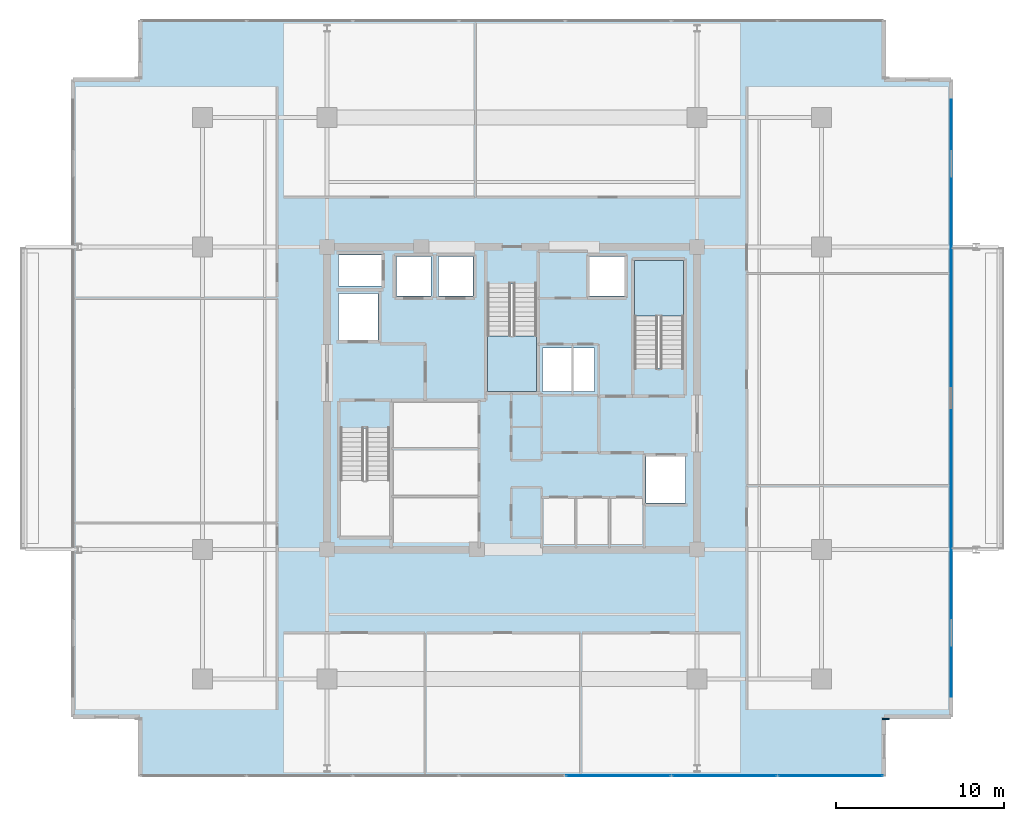
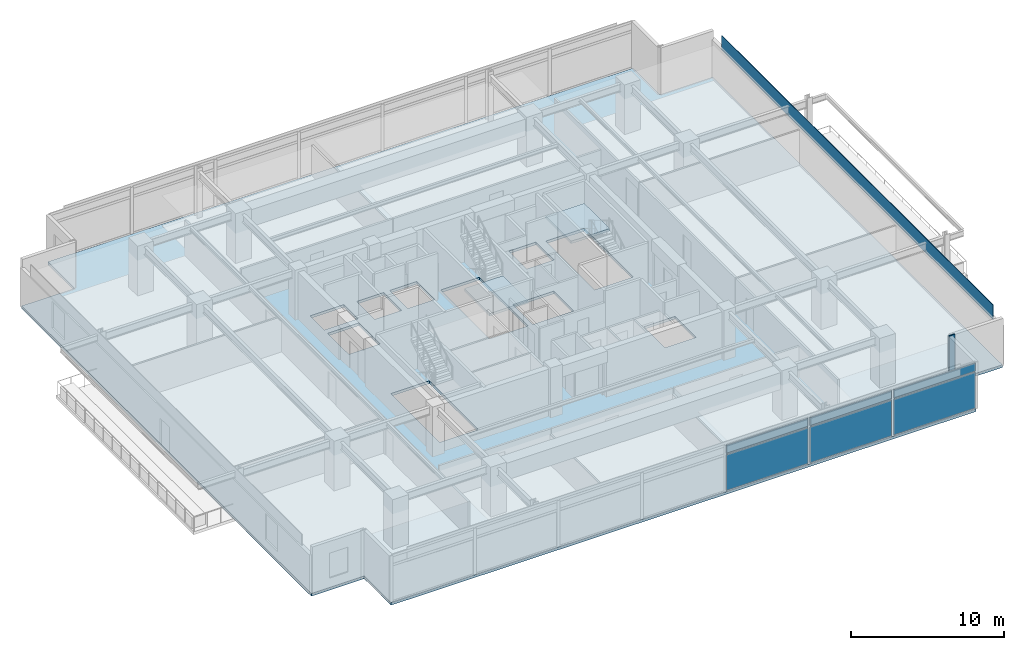
# One storey, part 15 of 24: 8 plates, 3 slabs, 3 elements without a shape of their own.
"""IFC4 building model written with IfcOpenShell, lengths in metres."""

from ifc_helpers import new_model, si_unit, direction, frame, origin, origin_2d, place, context, subcontext, project, spatial, polyline, rectangle, outline, extrude, material, layer, layer_set, type_object, element, aggregate, save


model = new_model("IFC4")

# Units and contexts
model_context = context("Model", 3, precision=1e-05, world=origin(), true_north=direction((0.0, 1.0)))
body_context = subcontext(model_context, "Body", "Model", "MODEL_VIEW")
ifc_project = project(units=[si_unit("LENGTHUNIT", "METRE"), si_unit("AREAUNIT", "SQUARE_METRE"), si_unit("VOLUMEUNIT", "CUBIC_METRE"), si_unit("PLANEANGLEUNIT", "RADIAN"), si_unit("MASSUNIT", "GRAM", prefix="KILO")], contexts=[model_context])

# Site, building, storey
site_placement = place(None, origin())
site = spatial("IfcSite", under=ifc_project, at=site_placement, CompositionType="ELEMENT")
building_placement = place(site_placement, origin())
building = spatial("IfcBuilding", under=site, at=building_placement, Name="Kovane Verandah Tower", CompositionType="ELEMENT")
storey_placement = place(building_placement, frame((0.0, 0.0, 271.199951171875)))
storey = spatial("IfcBuildingStorey", under=building, at=storey_placement, Name="L63", CompositionType="ELEMENT", Elevation=271.199951171875)

# Curtain wall, plates
ifc_material_1 = material(Name="Champagne Anodised Aluminium Frame with Low-E Clear Laminated Glass", Category="aluminium")
curtain_wall_type = type_object("IfcCurtainWallType", Name="CW-SYS-05-HIGH", PredefinedType="NOTDEFINED", material=ifc_material_1)
curtain_wall_placement = place(storey_placement, origin())
curtain_wall = element("IfcCurtainWall", 1, at=curtain_wall_placement, inside=storey, type_object=curtain_wall_type, Name="L63 S Unitised Curtain Wall", PredefinedType="NOTDEFINED")
ifc_material_2 = material(Name="Pale Champagne Anodised Aluminium Insulated Spandrel", Category="aluminium")
ifc_layer_1 = layer(ifc_material_2, 0.0400390625)
ifc_layer_set_1 = layer_set([ifc_layer_1], Name="Pale Champagne Anodised Aluminium Insulated Spandrel")
plate_type_1 = type_object("IfcPlateType", Name="PL-CW-SPD-40", PredefinedType="SHEET", material=ifc_layer_set_1)
plate_1_placement = place(storey_placement, frame((46.31640625, 5.05029296875, 3.05517578125), z_axis=(0.0, 0.0, 1.0), x_axis=(1.0, 0.0, 0.0)))
plate_1 = element("IfcPlate", 2, at=plate_1_placement, type_object=plate_type_1, Name="L63 S Unitised Curtain Wall Spandrel Panel 5", PredefinedType="SHEET", context=body_context, shape_type="SweptSolid", body=[
    extrude(rectangle(XDim=6.17626953125, YDim=0.0400390625, at=origin_2d()), origin(), (0.0, 0.0, 1.0), 0.639892578125),
])
plate_2_placement = place(storey_placement, frame((52.6328125, 5.05029296875, 3.05517578125), z_axis=(0.0, 0.0, 1.0), x_axis=(1.0, 0.0, 0.0)))
plate_2 = element("IfcPlate", 3, at=plate_2_placement, type_object=plate_type_1, Name="L63 S Unitised Curtain Wall Spandrel Panel 6", PredefinedType="SHEET", context=body_context, shape_type="SweptSolid", body=[
    extrude(rectangle(XDim=6.17626953125, YDim=0.0400390625, at=origin_2d()), origin(), (0.0, 0.0, 1.0), 0.639892578125),
])
plate_3_placement = place(storey_placement, frame((58.948974609375, 5.05029296875, 3.05517578125), z_axis=(0.0, 0.0, 1.0), x_axis=(1.0, 0.0, 0.0)))
plate_3 = element("IfcPlate", 4, at=plate_3_placement, type_object=plate_type_1, Name="L63 S Unitised Curtain Wall Spandrel Panel 7", PredefinedType="SHEET", context=body_context, shape_type="SweptSolid", body=[
    extrude(rectangle(XDim=6.17626953125, YDim=0.0400390625, at=origin_2d()), origin(), (0.0, 0.0, 1.0), 0.639892578125),
])
ifc_material_3 = material(Name="Clear Low-E Laminated Double Glazing", Category="glass")
ifc_layer_2 = layer(ifc_material_3, 0.031982421875)
ifc_layer_set_2 = layer_set([ifc_layer_2], Name="Clear Low-E Laminated Double Glazing")
plate_type_2 = type_object("IfcPlateType", Name="PL-CW-VIS-32", PredefinedType="CURTAIN_PANEL", material=ifc_layer_set_2)
plate_4_placement = place(storey_placement, frame((46.31640625, 5.05029296875, 0.10009765625), z_axis=(0.0, 0.0, 1.0), x_axis=(1.0, 0.0, 0.0)))
plate_4 = element("IfcPlate", 5, at=plate_4_placement, type_object=plate_type_2, Name="L63 S Unitised Curtain Wall Vision Panel 5", PredefinedType="CURTAIN_PANEL", context=body_context, shape_type="SweptSolid", body=[
    extrude(rectangle(XDim=6.17626953125, YDim=0.031982421875, at=origin_2d()), origin(), (0.0, 0.0, 1.0), 2.85498046875),
])
plate_5_placement = place(storey_placement, frame((52.6328125, 5.05029296875, 0.10009765625), z_axis=(0.0, 0.0, 1.0), x_axis=(1.0, 0.0, 0.0)))
plate_5 = element("IfcPlate", 6, at=plate_5_placement, type_object=plate_type_2, Name="L63 S Unitised Curtain Wall Vision Panel 6", PredefinedType="CURTAIN_PANEL", context=body_context, shape_type="SweptSolid", body=[
    extrude(rectangle(XDim=6.17626953125, YDim=0.031982421875, at=origin_2d()), origin(), (0.0, 0.0, 1.0), 2.85498046875),
])
plate_6_placement = place(storey_placement, frame((58.948974609375, 5.05029296875, 0.10009765625), z_axis=(0.0, 0.0, 1.0), x_axis=(1.0, 0.0, 0.0)))
plate_6 = element("IfcPlate", 7, at=plate_6_placement, type_object=plate_type_2, Name="L63 S Unitised Curtain Wall Vision Panel 7", PredefinedType="CURTAIN_PANEL", context=body_context, shape_type="SweptSolid", body=[
    extrude(rectangle(XDim=6.17626953125, YDim=0.031982421875, at=origin_2d()), origin(), (0.0, 0.0, 1.0), 2.85498046875),
])
aggregate(curtain_wall, [plate_4, plate_1, plate_5, plate_2, plate_6, plate_3])

# Plates
ifc_material_4 = material(Name="Timber-Toned Subtropical Aluminium Vertical Blade", Category="wood")
ifc_layer_3 = layer(ifc_material_4, 0.090087890625)
ifc_layer_set_3 = layer_set([ifc_layer_3], Name="Timber-Toned Subtropical Aluminium Vertical Blade")
plate_type_3 = type_object("IfcPlateType", Name="PL-FIN-90", PredefinedType="USERDEFINED", material=ifc_layer_set_3)
plate_7_placement = place(storey_placement, frame((62.227294921875, 8.430419921875, -0.02001953125), z_axis=(0.0, 0.0, 1.0), x_axis=(1.0, 0.0, 0.0)))
element("IfcPlate", 8, at=plate_7_placement, inside=storey, type_object=plate_type_3, Name="L63 SE Timber-Toned Vertical Corner Fin", ObjectType="FIN", PredefinedType="USERDEFINED", context=body_context, shape_type="SweptSolid", body=[
    extrude(rectangle(XDim=0.419921875, YDim=0.090087890625, at=origin_2d()), origin(), (0.0, 0.0, 1.0), 3.844970703125),
])
ifc_material_5 = material(Name="Perforated Pale Champagne Anodised Aluminium Solar Screen", Category="aluminium")
ifc_layer_4 = layer(ifc_material_5, 0.050048828125)
ifc_layer_set_4 = layer_set([ifc_layer_4], Name="Perforated Pale Champagne Anodised Aluminium Solar Screen")
plate_type_4 = type_object("IfcPlateType", Name="PL-SCREEN-50", PredefinedType="USERDEFINED", material=ifc_layer_set_4)
plate_8_placement = place(storey_placement, frame((66.122314453125, 27.5, 2.885009765625), z_axis=(0.0, 0.0, 1.0), x_axis=(0.0, 1.0, 0.0)))
element("IfcPlate", 9, at=plate_8_placement, inside=storey, type_object=plate_type_4, Name="L63 E Perforated Champagne-Gold Solar Screen", ObjectType="SCREEN", PredefinedType="USERDEFINED", context=body_context, shape_type="SweptSolid", body=[
    extrude(rectangle(XDim=35.4990234375, YDim=0.050048828125, at=origin_2d()), origin(), (0.0, 0.0, 1.0), 1.14990234375),
])

# Slab
ifc_material_6 = material(Name="Concrete C45/55", Category="concrete")
ifc_layer_5 = layer(ifc_material_6, 0.215087890625)
ifc_layer_set_5 = layer_set([ifc_layer_5], Name="Concrete C45/55")
slab_type_1 = type_object("IfcSlabType", Name="SL-HIGH-215", PredefinedType="FLOOR", material=ifc_layer_set_5)
slab_1_placement = place(storey_placement, frame((0.0, 0.0, -0.21484375)))
element("IfcSlab", 10, at=slab_1_placement, inside=storey, type_object=slab_type_1, Name="L63 Structural Floor Slab", PredefinedType="FLOOR", context=body_context, shape_type="SweptSolid", body=[
    extrude(outline(polyline([(17.892822265625, 5.05029296875), (62.107177734375, 5.05029296875), (62.107177734375, 8.55029296875), (66.107177734375, 8.55029296875), (66.107177734375, 46.44970703125), (62.107177734375, 46.44970703125), (62.107177734375, 49.94970703125), (17.892822265625, 49.94970703125), (17.892822265625, 46.44970703125), (13.892822265625, 46.44970703125), (13.892822265625, 8.55029296875), (17.892822265625, 8.55029296875), (17.892822265625, 5.05029296875)]), holes=[polyline([(29.800048828125, 19.300048828125), (32.719970703125, 19.300048828125), (32.719970703125, 25.705078125), (29.800048828125, 25.705078125), (29.800048828125, 19.300048828125)]), polyline([(47.280029296875, 29.294921875), (50.199951171875, 29.294921875), (50.199951171875, 35.699951171875), (47.280029296875, 35.699951171875), (47.280029296875, 29.294921875)]), polyline([(38.5400390625, 27.89990234375), (41.4599609375, 27.89990234375), (41.4599609375, 34.304931640625), (38.5400390625, 34.304931640625), (38.5400390625, 27.89990234375)]), polyline([(29.669921875, 30.969970703125), (32.030029296875, 30.969970703125), (32.030029296875, 33.72998046875), (29.669921875, 33.72998046875), (29.669921875, 30.969970703125)]), polyline([(47.969970703125, 21.27001953125), (50.330078125, 21.27001953125), (50.330078125, 24.030029296875), (47.969970703125, 24.030029296875), (47.969970703125, 21.27001953125)]), polyline([(29.669921875, 34.169921875), (32.22998046875, 34.169921875), (32.22998046875, 36.030029296875), (29.669921875, 36.030029296875), (29.669921875, 34.169921875)]), polyline([(33.1201171875, 33.570068359375), (35.179931640625, 33.570068359375), (35.179931640625, 35.929931640625), (33.1201171875, 35.929931640625), (33.1201171875, 33.570068359375)]), polyline([(35.6201171875, 33.570068359375), (37.679931640625, 33.570068359375), (37.679931640625, 35.929931640625), (35.6201171875, 35.929931640625), (35.6201171875, 33.570068359375)]), polyline([(44.6201171875, 33.570068359375), (46.679931640625, 33.570068359375), (46.679931640625, 35.929931640625), (44.6201171875, 35.929931640625), (44.6201171875, 33.570068359375)]), polyline([(41.800048828125, 27.89990234375), (44.89990234375, 27.89990234375), (44.89990234375, 30.5), (41.800048828125, 30.5), (41.800048828125, 27.89990234375)])]), origin(), (0.0, 0.0, 1.0), 0.21484375),
])

# Stair, slab
stair_type = type_object("IfcStairType", Name="ST-CORE-1380", PredefinedType="HALF_TURN_STAIR", material=ifc_material_6)
stair_1_placement = place(storey_placement, origin())
stair_1 = element("IfcStair", 11, at=stair_1_placement, inside=storey, type_object=stair_type, Name="L63 Exit Stair ST-02", PredefinedType="HALF_TURN_STAIR")
ifc_layer_6 = layer(ifc_material_6, 0.199951171875)
ifc_layer_set_6 = layer_set([ifc_layer_6], Name="Concrete C45/55")
slab_type_2 = type_object("IfcSlabType", Name="SL-LAND-200", PredefinedType="LANDING", material=ifc_layer_set_6)
slab_2_placement = place(storey_placement, frame((0.0, 0.0, 1.800048828125)))
slab_2 = element("IfcSlab", 12, at=slab_2_placement, type_object=slab_type_2, Name="ST-02 landing 1", PredefinedType="LANDING", context=body_context, shape_type="SweptSolid", body=[
    extrude(outline(polyline([(50.199951171875, 32.385009765625), (50.199951171875, 35.699951171875), (47.280029296875, 35.699951171875), (47.280029296875, 32.385009765625), (50.199951171875, 32.385009765625)])), origin(), (0.0, 0.0, 1.0), 0.199951171875),
])
aggregate(stair_1, [slab_2])

stair_2_placement = place(storey_placement, origin())
stair_2 = element("IfcStair", 13, at=stair_2_placement, inside=storey, type_object=stair_type, Name="L63 Exit Stair ST-03", PredefinedType="HALF_TURN_STAIR")
slab_3_placement = place(storey_placement, frame((0.0, 0.0, 1.800048828125)))
slab_3 = element("IfcSlab", 14, at=slab_3_placement, type_object=slab_type_2, Name="ST-03 landing 1", PredefinedType="LANDING", context=body_context, shape_type="SweptSolid", body=[
    extrude(outline(polyline([(38.5400390625, 31.215087890625), (38.5400390625, 27.89990234375), (41.4599609375, 27.89990234375), (41.4599609375, 31.215087890625), (38.5400390625, 31.215087890625)])), origin(), (0.0, 0.0, 1.0), 0.199951171875),
])
aggregate(stair_2, [slab_3])

save(model, "model.ifc")
